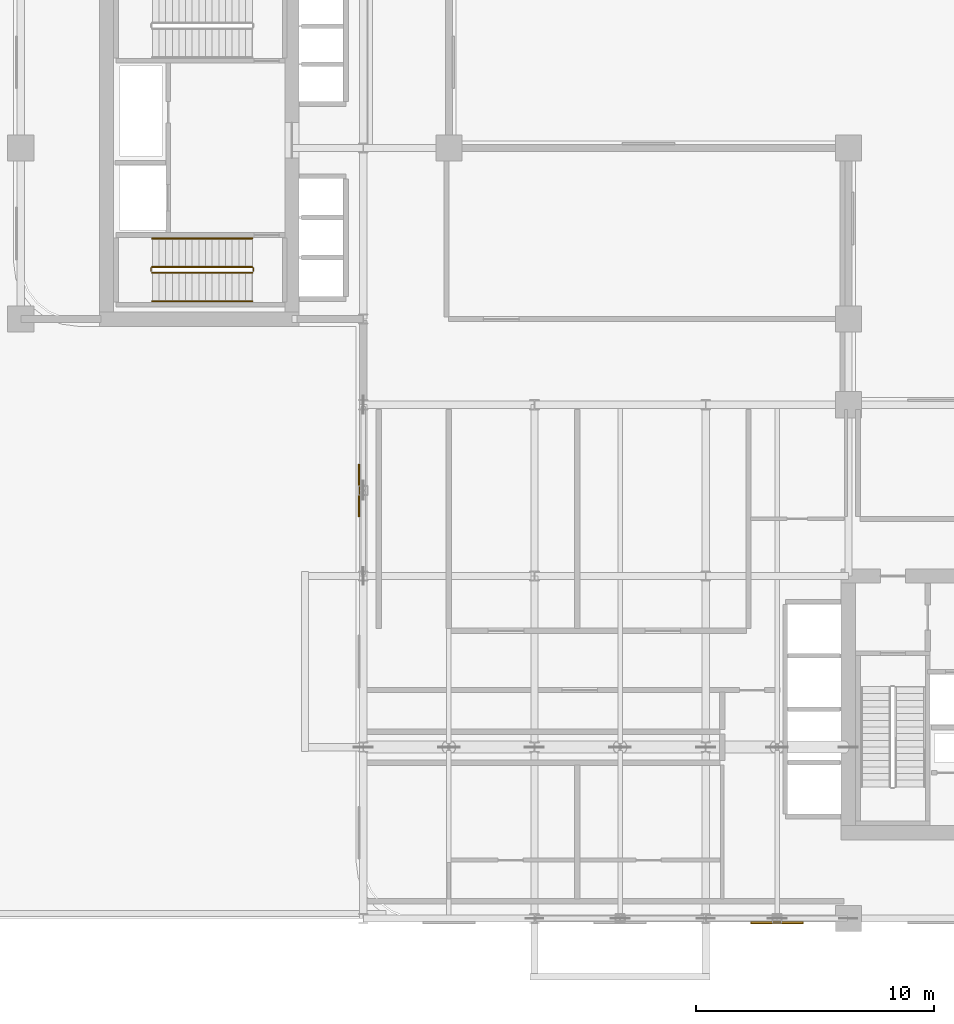
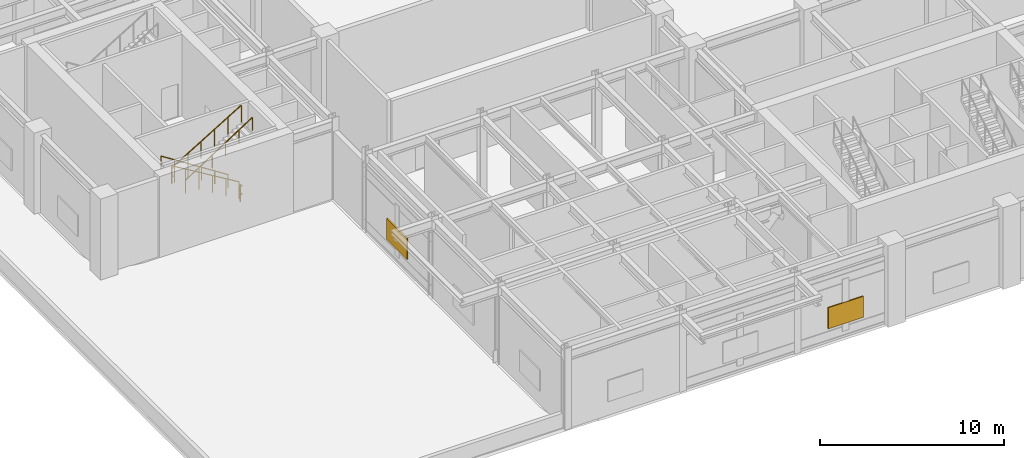
# One storey, part 11 of 14: 6 railings, 2 shading devices.
"""IFC4 building model written with IfcOpenShell, lengths in metres."""

from ifc_helpers import new_model, si_unit, derived_unit, direction, frame, origin, origin_2d, place, context, subcontext, project, spatial, rectangle, extrude, source, transform, mapped, material, layer, layer_set, type_object, type_shapes, element, save


model = new_model("IFC4")

# Units and contexts
model_context = context("Model", 3, precision=1e-05, world=origin(), true_north=direction((0.0, 1.0)))
body_context = subcontext(model_context, "Body", "Model", "MODEL_VIEW")
ifc_project = project(units=[si_unit("LENGTHUNIT", "METRE"), si_unit("AREAUNIT", "SQUARE_METRE"), si_unit("VOLUMEUNIT", "CUBIC_METRE"), si_unit("PLANEANGLEUNIT", "RADIAN"), si_unit("MASSUNIT", "GRAM", prefix="KILO"), si_unit("THERMODYNAMICTEMPERATUREUNIT", "KELVIN"), si_unit("POWERUNIT", "WATT"), derived_unit("THERMALTRANSMITTANCEUNIT", [(si_unit("POWERUNIT", "WATT"), 1), (si_unit("AREAUNIT", "SQUARE_METRE"), -1), (si_unit("THERMODYNAMICTEMPERATUREUNIT", "KELVIN"), -1)])], contexts=[model_context])

# Site, building, storey
site_placement = place(None, origin())
site = spatial("IfcSite", under=ifc_project, at=site_placement, CompositionType="ELEMENT")
building_placement = place(site_placement, origin())
building = spatial("IfcBuilding", under=site, at=building_placement, Name="Zahravan Archway Hotel and Residences", CompositionType="ELEMENT")
storey_placement = place(building_placement, frame((0.0, 0.0, 27.0)))
storey = spatial("IfcBuildingStorey", under=building, at=storey_placement, Name="L05", CompositionType="ELEMENT", Elevation=27.0)

# Railings
ifc_material_1 = material(Name="Painted Tubular Steel", Category="steel")
railing_type_1 = type_object("IfcRailingType", Name="RL-STG-1150", PredefinedType="GUARDRAIL", material=ifc_material_1)
railing_1_placement = place(storey_placement, frame((9.72998046875, 27.389892578125, 0.168701171875)))
element("IfcRailing", 1, at=railing_1_placement, inside=storey, type_object=railing_type_1, Name="L05 ST-B1 stair guard 1", PredefinedType="GUARDRAIL", context=body_context, shape_type="SweptSolid", body=[
    extrude(rectangle(XDim=0.048095703125, YDim=0.048095703125, at=origin_2d()), frame((0.0, 0.0, 1.1259765625), z_axis=(-0.856476492594, 0.0, 0.516186030065), x_axis=(0.0, -1.0, 0.0)), (0.0, 0.0, 1.0), 4.90380859375),
    extrude(rectangle(XDim=0.0419921875, YDim=0.0419921875, at=origin_2d()), origin(), (0.0, 0.0, 1.0), 1.101806640625),
    extrude(rectangle(XDim=0.0419921875, YDim=0.0419921875, at=origin_2d()), frame((-0.840087890625, 0.0, 0.50634765625)), (0.0, 0.0, 1.0), 1.101806640625),
    extrude(rectangle(XDim=0.0419921875, YDim=0.0419921875, at=origin_2d()), frame((-1.679931640625, 0.0, 1.012451171875)), (0.0, 0.0, 1.0), 1.101806640625),
    extrude(rectangle(XDim=0.0419921875, YDim=0.0419921875, at=origin_2d()), frame((-2.52001953125, 0.0, 1.518798828125)), (0.0, 0.0, 1.0), 1.101806640625),
    extrude(rectangle(XDim=0.0419921875, YDim=0.0419921875, at=origin_2d()), frame((-3.35986328125, 0.0, 2.02490234375)), (0.0, 0.0, 1.0), 1.101806640625),
    extrude(rectangle(XDim=0.0419921875, YDim=0.0419921875, at=origin_2d()), frame((-4.199951171875, 0.0, 2.53125)), (0.0, 0.0, 1.0), 1.101806640625),
])
railing_2_placement = place(storey_placement, frame((5.47998046875, 27.340087890625, 2.699951171875)))
element("IfcRailing", 2, at=railing_2_placement, inside=storey, type_object=railing_type_1, Name="L05 ST-B1 stair guard 2", PredefinedType="GUARDRAIL", context=body_context, shape_type="SweptSolid", body=[
    extrude(rectangle(XDim=0.048095703125, YDim=0.048095703125, at=origin_2d()), frame((0.0, 0.0, 1.1259765625), z_axis=(0.0, -1.0, 0.0), x_axis=(1.0, 0.0, 0.0)), (0.0, 0.0, 1.0), 0.14013671875),
    extrude(rectangle(XDim=0.048095703125, YDim=0.048095703125, at=origin_2d()), frame((0.0, 0.0, 0.574951171875), z_axis=(0.0, -1.0, 0.0), x_axis=(1.0, 0.0, 0.0)), (0.0, 0.0, 1.0), 0.14013671875),
    extrude(rectangle(XDim=0.0419921875, YDim=0.0419921875, at=origin_2d()), origin(), (0.0, 0.0, 1.0), 1.101806640625),
])
railing_3_placement = place(storey_placement, frame((5.530029296875, 27.14990234375, 2.86865234375)))
element("IfcRailing", 3, at=railing_3_placement, inside=storey, type_object=railing_type_1, Name="L05 ST-B1 stair guard 3", PredefinedType="GUARDRAIL", context=body_context, shape_type="SweptSolid", body=[
    extrude(rectangle(XDim=0.048095703125, YDim=0.048095703125, at=origin_2d()), frame((0.0, 0.0, 1.1259765625), z_axis=(0.856476492594, 0.0, 0.516186030065), x_axis=(0.0, 1.0, 0.0)), (0.0, 0.0, 1.0), 4.90380859375),
    extrude(rectangle(XDim=0.0419921875, YDim=0.0419921875, at=origin_2d()), origin(), (0.0, 0.0, 1.0), 1.101806640625),
    extrude(rectangle(XDim=0.0419921875, YDim=0.0419921875, at=origin_2d()), frame((0.840087890625, 0.0, 0.50634765625)), (0.0, 0.0, 1.0), 1.101806640625),
    extrude(rectangle(XDim=0.0419921875, YDim=0.0419921875, at=origin_2d()), frame((1.679931640625, 0.0, 1.012451171875)), (0.0, 0.0, 1.0), 1.101806640625),
    extrude(rectangle(XDim=0.0419921875, YDim=0.0419921875, at=origin_2d()), frame((2.52001953125, 0.0, 1.518798828125)), (0.0, 0.0, 1.0), 1.101806640625),
    extrude(rectangle(XDim=0.0419921875, YDim=0.0419921875, at=origin_2d()), frame((3.35986328125, 0.0, 2.02490234375)), (0.0, 0.0, 1.0), 1.101806640625),
    extrude(rectangle(XDim=0.0419921875, YDim=0.0419921875, at=origin_2d()), frame((4.199951171875, 0.0, 2.53125)), (0.0, 0.0, 1.0), 1.101806640625),
])
railing_4_placement = place(storey_placement, frame((9.780029296875, 27.340087890625, 0.0)))
element("IfcRailing", 4, at=railing_4_placement, inside=storey, type_object=railing_type_1, Name="L05 ST-B1 stair guard 4", PredefinedType="GUARDRAIL", context=body_context, shape_type="SweptSolid", body=[
    extrude(rectangle(XDim=0.048095703125, YDim=0.048095703125, at=origin_2d()), frame((0.0, 0.0, 1.1259765625), z_axis=(0.0, -1.0, 0.0), x_axis=(1.0, 0.0, 0.0)), (0.0, 0.0, 1.0), 0.14013671875),
    extrude(rectangle(XDim=0.048095703125, YDim=0.048095703125, at=origin_2d()), frame((0.0, 0.0, 0.574951171875), z_axis=(0.0, -1.0, 0.0), x_axis=(1.0, 0.0, 0.0)), (0.0, 0.0, 1.0), 0.14013671875),
    extrude(rectangle(XDim=0.0419921875, YDim=0.0419921875, at=origin_2d()), origin(), (0.0, 0.0, 1.0), 1.101806640625),
])
ifc_material_2 = material(Name="Brushed Stainless Steel", Category="steel")
railing_type_2 = type_object("IfcRailingType", Name="RL-STH-900", PredefinedType="HANDRAIL", material=ifc_material_2)
railing_5_placement = place(storey_placement, frame((9.72998046875, 28.590087890625, 0.168701171875)))
element("IfcRailing", 5, at=railing_5_placement, inside=storey, type_object=railing_type_2, Name="L05 ST-B1 stair handrail 1", PredefinedType="HANDRAIL", context=body_context, shape_type="SweptSolid", body=[
    extrude(rectangle(XDim=0.048095703125, YDim=0.048095703125, at=origin_2d()), frame((0.0, 0.0, 0.8759765625), z_axis=(-0.841180064094, 0.0, 0.540755119968), x_axis=(0.0, -1.0, 0.0)), (0.0, 0.0, 1.0), 4.992919921875),
    extrude(rectangle(XDim=0.0419921875, YDim=0.0419921875, at=origin_2d()), origin(), (0.0, 0.0, 1.0), 0.851806640625),
    extrude(rectangle(XDim=0.0419921875, YDim=0.0419921875, at=origin_2d()), frame((-0.840087890625, 0.0, 0.5400390625)), (0.0, 0.0, 1.0), 0.851806640625),
    extrude(rectangle(XDim=0.0419921875, YDim=0.0419921875, at=origin_2d()), frame((-1.679931640625, 0.0, 1.080078125)), (0.0, 0.0, 1.0), 0.851806640625),
    extrude(rectangle(XDim=0.0419921875, YDim=0.0419921875, at=origin_2d()), frame((-2.52001953125, 0.0, 1.619873046875)), (0.0, 0.0, 1.0), 0.851806640625),
    extrude(rectangle(XDim=0.0419921875, YDim=0.0419921875, at=origin_2d()), frame((-3.35986328125, 0.0, 2.159912109375)), (0.0, 0.0, 1.0), 0.851806640625),
    extrude(rectangle(XDim=0.0419921875, YDim=0.0419921875, at=origin_2d()), frame((-4.199951171875, 0.0, 2.699951171875)), (0.0, 0.0, 1.0), 0.851806640625),
])
railing_6_placement = place(storey_placement, frame((5.530029296875, 25.949951171875, 2.86865234375)))
element("IfcRailing", 6, at=railing_6_placement, inside=storey, type_object=railing_type_2, Name="L05 ST-B1 stair handrail 2", PredefinedType="HANDRAIL", context=body_context, shape_type="SweptSolid", body=[
    extrude(rectangle(XDim=0.048095703125, YDim=0.048095703125, at=origin_2d()), frame((0.0, 0.0, 0.8759765625), z_axis=(0.841157821942, 0.0, 0.54078971753), x_axis=(0.0, 1.0, 0.0)), (0.0, 0.0, 1.0), 4.9931640625),
    extrude(rectangle(XDim=0.0419921875, YDim=0.0419921875, at=origin_2d()), origin(), (0.0, 0.0, 1.0), 0.851806640625),
    extrude(rectangle(XDim=0.0419921875, YDim=0.0419921875, at=origin_2d()), frame((0.840087890625, 0.0, 0.5400390625)), (0.0, 0.0, 1.0), 0.851806640625),
    extrude(rectangle(XDim=0.0419921875, YDim=0.0419921875, at=origin_2d()), frame((1.679931640625, 0.0, 1.080078125)), (0.0, 0.0, 1.0), 0.851806640625),
    extrude(rectangle(XDim=0.0419921875, YDim=0.0419921875, at=origin_2d()), frame((2.52001953125, 0.0, 1.6201171875)), (0.0, 0.0, 1.0), 0.851806640625),
    extrude(rectangle(XDim=0.0419921875, YDim=0.0419921875, at=origin_2d()), frame((3.35986328125, 0.0, 2.16015625)), (0.0, 0.0, 1.0), 0.851806640625),
    extrude(rectangle(XDim=0.0419921875, YDim=0.0419921875, at=origin_2d()), frame((4.199951171875, 0.0, 2.7001953125)), (0.0, 0.0, 1.0), 0.851806640625),
])

# Shading devices
ifc_material_3 = material(Name="Bronze Acoustic Intake Louvre")
ifc_layer = layer(ifc_material_3, 0.080078125, Name="Bronze Acoustic Intake Louvre")
ifc_layer_set = layer_set([ifc_layer], Name="Bronze Acoustic Intake Louvre")
shading_device_type = type_object("IfcShadingDeviceType", Name="SHD-LOUVRE-60", PredefinedType="USERDEFINED", material=ifc_layer_set)
shared_shape = source(origin(), body_context, "Body", "SweptSolid", [
    extrude(rectangle(XDim=2.199951171875, YDim=0.080078125, at=origin_2d()), origin(), (0.0, 0.0, 1.0), 1.39990234375),
])
type_shapes(shading_device_type, [shared_shape])
for number, where, z_axis, x_axis, name in (
    (7, (31.800048828125, -0.179931640625, 0.949951171875), (0.0, 0.0, 1.0), (1.0, 0.0, 0.0), "L05 Acoustic Plant Intake Louvre 03"),
    (8, (14.219970703125, 18.0, 0.949951171875), (0.0, 0.0, 1.0), (0.0, 1.0, 0.0), "L05 Acoustic Plant Intake Louvre 15"),
):
    element("IfcShadingDevice", number, at=place(storey_placement, frame(where, z_axis=z_axis, x_axis=x_axis)), inside=storey, type_object=shading_device_type, Name=name, ObjectType="LOUVER", PredefinedType="USERDEFINED", context=body_context, shape_type="MappedRepresentation", body=[
        mapped(shared_shape, transform((0.0, 0.0, 0.0), scale=1.0)),
    ])

save(model, "model.ifc")
